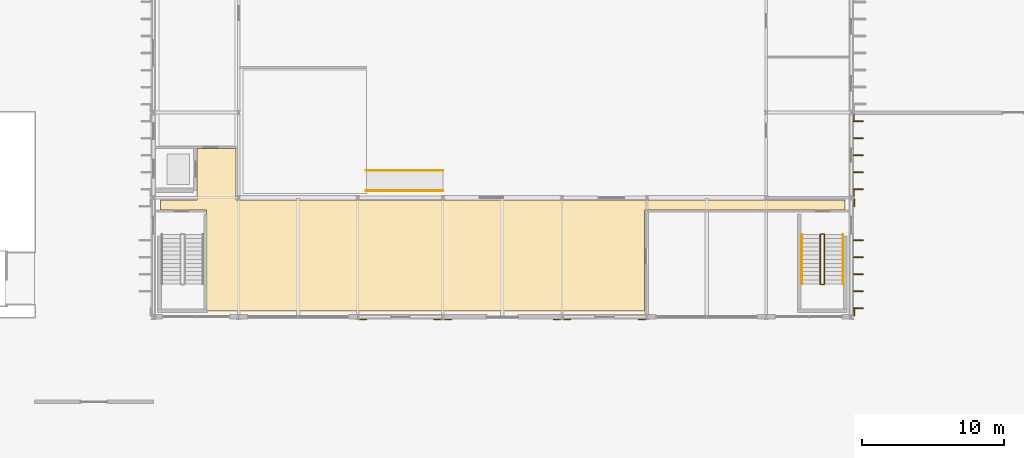
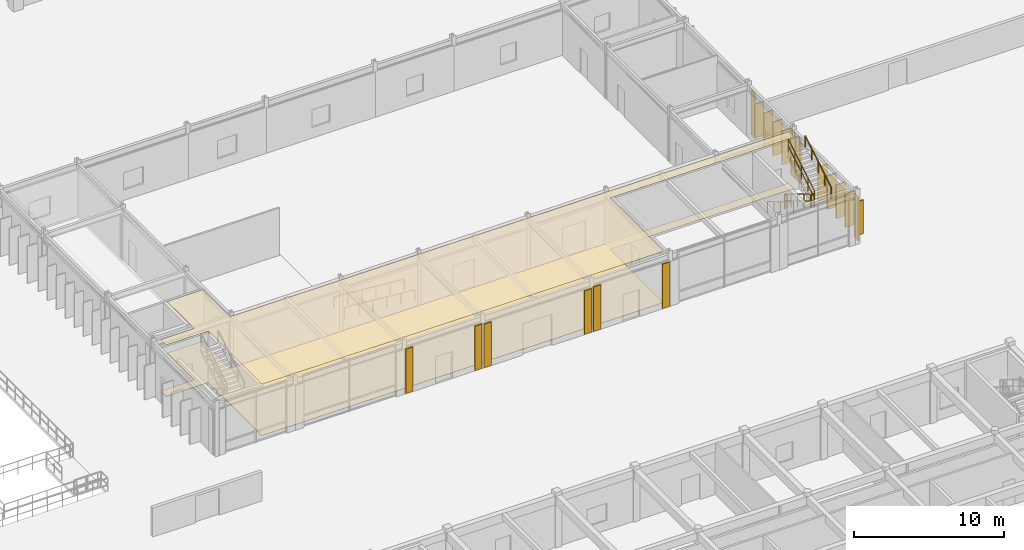
# One storey, part 57 of 67: 12 coverings, 10 shading devices, 8 railings.
"""IFC4 building model written with IfcOpenShell, lengths in metres."""

from ifc_helpers import new_model, si_unit, direction, frame, origin, origin_2d, place, context, subcontext, project, spatial, polyline, rectangle, outline, extrude, material, layer, layer_set, type_object, element, save


model = new_model("IFC4")

# Units and contexts
model_context = context("Model", 3, precision=1e-05, world=origin(), true_north=direction((0.0, 1.0)))
body_context = subcontext(model_context, "Body", "Model", "MODEL_VIEW")
ifc_project = project(units=[si_unit("LENGTHUNIT", "METRE"), si_unit("AREAUNIT", "SQUARE_METRE"), si_unit("VOLUMEUNIT", "CUBIC_METRE"), si_unit("PLANEANGLEUNIT", "RADIAN"), si_unit("MASSUNIT", "GRAM", prefix="KILO"), si_unit("THERMODYNAMICTEMPERATUREUNIT", "KELVIN")], contexts=[model_context])

# Site, building, storey
site_placement = place(None, origin())
site = spatial("IfcSite", under=ifc_project, at=site_placement, CompositionType="ELEMENT")
building_placement = place(site_placement, origin())
building = spatial("IfcBuilding", under=site, at=building_placement, Name="Thalorik Housing Commons", CompositionType="ELEMENT")
storey_placement = place(building_placement, origin())
storey = spatial("IfcBuildingStorey", under=building, at=storey_placement, Name="L00", CompositionType="ELEMENT", Elevation=0.0)

# Coverings
ifc_material_1 = material(Name="Cobalt blue glazed ceramic facade tile panel", Category="masonry")
ifc_layer_1 = layer(ifc_material_1, 0.06005859375, Name="Cobalt blue glazed ceramic facade tile panel", Category="masonry")
ifc_layer_set_1 = layer_set([ifc_layer_1], Name="Cobalt blue glazed ceramic facade tile panel")
covering_type_1 = type_object("IfcCoveringType", Name="ARC-CLD-BLU-60", PredefinedType="CLADDING", material=ifc_layer_set_1)
for number, where, z_axis, x_axis, name in (
    (1, (86.75, 57.41796875, 0.050048828125), (0.0, 0.0, 1.0), (1.0, 0.0, 0.0), "L00 Architectural Facade Cladding 5130"),
    (2, (94.449951171875, 57.41796875, 0.050048828125), (0.0, 0.0, 1.0), (1.0, 0.0, 0.0), "L00 Architectural Facade Cladding 5131"),
):
    element("IfcCovering", number, at=place(storey_placement, frame(where, z_axis=z_axis, x_axis=x_axis)), inside=storey, type_object=covering_type_1, Name=name, PredefinedType="CLADDING", context=body_context, shape_type="SweptSolid", body=[
        extrude(rectangle(XDim=0.550048828125, YDim=0.06005859375, at=origin_2d()), origin(), (0.0, 0.0, 1.0), 3.5458984375),
    ])
ifc_material_2 = material(Name="Precast concrete C40/50", Category="concrete")
ifc_layer_2 = layer(ifc_material_2, 0.090087890625, Name="Precast concrete C40/50", Category="concrete")
ifc_layer_set_2 = layer_set([ifc_layer_2], Name="Precast concrete C40/50")
covering_type_2 = type_object("IfcCoveringType", Name="ARC-CLD-PIER-90", PredefinedType="CLADDING", material=ifc_layer_set_2)
for number, where, z_axis, x_axis, name in (
    (3, (115.39697265625, 57.949951171875, 0.0498046875), (0.0, 0.0, 1.0), (0.0, 1.0, 0.0), "L00 Architectural Facade Cladding 5134"),
    (4, (115.39697265625, 65.64990234375, 0.0498046875), (0.0, 0.0, 1.0), (0.0, 1.0, 0.0), "L00 Architectural Facade Cladding 5135"),
):
    element("IfcCovering", number, at=place(storey_placement, frame(where, z_axis=z_axis, x_axis=x_axis)), inside=storey, type_object=covering_type_2, Name=name, PredefinedType="CLADDING", context=body_context, shape_type="SweptSolid", body=[
        extrude(rectangle(XDim=0.550048828125, YDim=0.090087890625, at=origin_2d()), origin(), (0.0, 0.0, 1.0), 3.550048828125),
    ])
ifc_material_3 = material(Name="Terracotta red mineral fibre-cement panel", Category="masonry")
ifc_layer_3 = layer(ifc_material_3, 0.054931640625, Name="Terracotta red mineral fibre-cement panel", Category="masonry")
ifc_layer_set_3 = layer_set([ifc_layer_3], Name="Terracotta red mineral fibre-cement panel")
covering_type_3 = type_object("IfcCoveringType", Name="ARC-CLD-RED-55", PredefinedType="CLADDING", material=ifc_layer_set_3)
for number, where, z_axis, x_axis, name in (
    (5, (80.75, 57.42041015625, 0.050048828125), (0.0, 0.0, 1.0), (1.0, 0.0, 0.0), "L00 Architectural Facade Cladding 5128"),
    (6, (86.050048828125, 57.42041015625, 0.050048828125), (0.0, 0.0, 1.0), (1.0, 0.0, 0.0), "L00 Architectural Facade Cladding 5129"),
):
    element("IfcCovering", number, at=place(storey_placement, frame(where, z_axis=z_axis, x_axis=x_axis)), inside=storey, type_object=covering_type_3, Name=name, PredefinedType="CLADDING", context=body_context, shape_type="SweptSolid", body=[
        extrude(rectangle(XDim=0.550048828125, YDim=0.054931640625, at=origin_2d()), origin(), (0.0, 0.0, 1.0), 3.6220703125),
    ])
for number, where, z_axis, x_axis, name in (
    (7, (115.37939453125, 66.35009765625, 0.0498046875), (0.0, 0.0, 1.0), (0.0, 1.0, 0.0), "L00 Architectural Facade Cladding 5136"),
    (8, (115.37939453125, 71.64990234375, 0.0498046875), (0.0, 0.0, 1.0), (0.0, 1.0, 0.0), "L00 Architectural Facade Cladding 5137"),
):
    element("IfcCovering", number, at=place(storey_placement, frame(where, z_axis=z_axis, x_axis=x_axis)), inside=storey, type_object=covering_type_3, Name=name, PredefinedType="CLADDING", context=body_context, shape_type="SweptSolid", body=[
        extrude(rectangle(XDim=0.550048828125, YDim=0.054931640625, at=origin_2d()), origin(), (0.0, 0.0, 1.0), 3.672119140625),
    ])
ifc_material_4 = material(Name="Mineral ochre architectural terracotta panel", Category="masonry")
ifc_layer_4 = layer(ifc_material_4, 0.06494140625, Name="Mineral ochre architectural terracotta panel", Category="masonry")
ifc_layer_set_4 = layer_set([ifc_layer_4], Name="Mineral ochre architectural terracotta panel")
covering_type_4 = type_object("IfcCoveringType", Name="ARC-CLD-YEL-65", PredefinedType="CLADDING", material=ifc_layer_set_4)
for number, where, z_axis, x_axis, name in (
    (9, (95.14990234375, 57.41552734375, 0.050048828125), (0.0, 0.0, 1.0), (1.0, 0.0, 0.0), "L00 Architectural Facade Cladding 5132"),
    (10, (100.449951171875, 57.41552734375, 0.050048828125), (0.0, 0.0, 1.0), (1.0, 0.0, 0.0), "L00 Architectural Facade Cladding 5133"),
):
    element("IfcCovering", number, at=place(storey_placement, frame(where, z_axis=z_axis, x_axis=x_axis)), inside=storey, type_object=covering_type_4, Name=name, PredefinedType="CLADDING", context=body_context, shape_type="SweptSolid", body=[
        extrude(rectangle(XDim=0.550048828125, YDim=0.06494140625, at=origin_2d()), origin(), (0.0, 0.0, 1.0), 3.6220703125),
    ])
ifc_material_5 = material(Name="Fire-rated calcium silicate corridor ceiling")
ifc_layer_5 = layer(ifc_material_5, 0.030029296875, Name="Fire-rated calcium silicate corridor ceiling")
ifc_layer_set_5 = layer_set([ifc_layer_5], Name="Fire-rated calcium silicate corridor ceiling")
covering_type_5 = type_object("IfcCoveringType", Name="ARC-COV-CEIL-05", PredefinedType="CEILING", material=ifc_layer_set_5)
covering_1_placement = place(storey_placement, frame((0.0, 0.0, 4.169921875)))
element("IfcCovering", 11, at=covering_1_placement, inside=storey, type_object=covering_type_5, Name="L00 Community Foyer Suspended Ceiling", PredefinedType="CEILING", context=body_context, shape_type="SweptSolid", body=[
    extrude(outline(polyline([(66.5, 65.85009765625), (66.5, 65.1201171875), (69.75, 65.119873046875), (69.75, 58.0), (100.60009765625, 58.0), (100.60009765625, 65.1201171875), (114.75, 65.1201171875), (114.75, 65.85009765625), (71.820068359375, 65.85009765625), (71.820068359375, 69.4599609375), (69.080078125, 69.4599609375), (69.080078125, 65.85009765625), (66.5, 65.85009765625)])), origin(), (0.0, 0.0, 1.0), 0.030029296875),
])
ifc_material_6 = material(Name="Heavy-duty porcelain metro vestibule tile")
ifc_layer_6 = layer(ifc_material_6, 0.028076171875, Name="Heavy-duty porcelain metro vestibule tile")
ifc_layer_set_6 = layer_set([ifc_layer_6], Name="Heavy-duty porcelain metro vestibule tile")
covering_type_6 = type_object("IfcCoveringType", Name="ARC-COV-FLR-05", PredefinedType="FLOORING", material=ifc_layer_set_6)
covering_2_placement = place(storey_placement, origin())
element("IfcCovering", 12, at=covering_2_placement, inside=storey, type_object=covering_type_6, Name="L00 Community Foyer Flooring", PredefinedType="FLOORING", context=body_context, shape_type="SweptSolid", body=[
    extrude(outline(polyline([(66.5, 65.85009765625), (66.5, 65.1201171875), (69.75, 65.119873046875), (69.75, 58.0), (100.60009765625, 58.0), (100.60009765625, 65.1201171875), (114.75, 65.1201171875), (114.75, 65.85009765625), (71.820068359375, 65.85009765625), (71.820068359375, 69.4599609375), (69.080078125, 69.4599609375), (69.080078125, 65.85009765625), (66.5, 65.85009765625)])), origin(), (0.0, 0.0, 1.0), 0.028076171875),
])

# Shading devices
ifc_material_7 = material(Name="Cobalt blue anodised aluminium", Category="aluminium")
shading_device_type_1 = type_object("IfcShadingDeviceType", Name="ARC-FIN-BLU-700", PredefinedType="USERDEFINED", material=ifc_material_7)
for number, where, z_axis, x_axis, name in (
    (13, (115.699951171875, 66.60009765625, 0.1201171875), (0.0, 0.0, 1.0), (0.0, 1.0, 0.0), "L00 Vertical Precast Solar Fin 6"),
    (14, (115.699951171875, 67.800048828125, 0.1201171875), (0.0, 0.0, 1.0), (0.0, 1.0, 0.0), "L00 Vertical Precast Solar Fin 7"),
    (15, (115.699951171875, 69.0, 0.1201171875), (0.0, 0.0, 1.0), (0.0, 1.0, 0.0), "L00 Vertical Precast Solar Fin 8"),
    (16, (115.699951171875, 70.199951171875, 0.1201171875), (0.0, 0.0, 1.0), (0.0, 1.0, 0.0), "L00 Vertical Precast Solar Fin 9"),
    (17, (115.699951171875, 71.39990234375, 0.1201171875), (0.0, 0.0, 1.0), (0.0, 1.0, 0.0), "L00 Vertical Precast Solar Fin 10"),
):
    element("IfcShadingDevice", number, at=place(storey_placement, frame(where, z_axis=z_axis, x_axis=x_axis)), inside=storey, type_object=shading_device_type_1, Name=name, ObjectType="FIN", PredefinedType="USERDEFINED", context=body_context, shape_type="SweptSolid", body=[
        extrude(rectangle(XDim=0.074951171875, YDim=0.699951171875, at=origin_2d()), origin(), (0.0, 0.0, 1.0), 2.75),
    ])
ifc_material_8 = material(Name="Oxide red precast concrete C40/50", Category="concrete")
shading_device_type_2 = type_object("IfcShadingDeviceType", Name="ARC-FIN-RED-700", PredefinedType="USERDEFINED", material=ifc_material_8)
for number, where, z_axis, x_axis, name in (
    (18, (115.699951171875, 58.199951171875, 0.1201171875), (0.0, 0.0, 1.0), (0.0, 1.0, 0.0), "L00 Vertical Precast Solar Fin 1"),
    (19, (115.699951171875, 59.39990234375, 0.1201171875), (0.0, 0.0, 1.0), (0.0, 1.0, 0.0), "L00 Vertical Precast Solar Fin 2"),
    (20, (115.699951171875, 60.60009765625, 0.1201171875), (0.0, 0.0, 1.0), (0.0, 1.0, 0.0), "L00 Vertical Precast Solar Fin 3"),
    (21, (115.699951171875, 61.800048828125, 0.1201171875), (0.0, 0.0, 1.0), (0.0, 1.0, 0.0), "L00 Vertical Precast Solar Fin 4"),
    (22, (115.699951171875, 63.0, 0.1201171875), (0.0, 0.0, 1.0), (0.0, 1.0, 0.0), "L00 Vertical Precast Solar Fin 5"),
):
    element("IfcShadingDevice", number, at=place(storey_placement, frame(where, z_axis=z_axis, x_axis=x_axis)), inside=storey, type_object=shading_device_type_2, Name=name, ObjectType="FIN", PredefinedType="USERDEFINED", context=body_context, shape_type="SweptSolid", body=[
        extrude(rectangle(XDim=0.074951171875, YDim=0.699951171875, at=origin_2d()), origin(), (0.0, 0.0, 1.0), 2.75),
    ])

# Railings
ifc_material_9 = material(Name="Steel S355", Category="steel")
railing_type_1 = type_object("IfcRailingType", Name="ARC-RL-RAMP-092", PredefinedType="HANDRAIL", material=ifc_material_9)
for number, where, name in (
    (23, (86.39990234375, 66.489990234375, 0.0), "Hall Stage Ramp S Handrail"),
    (24, (86.39990234375, 67.909912109375, 0.0), "Hall Stage Ramp N Handrail"),
):
    element("IfcRailing", number, at=place(storey_placement, frame(where)), inside=storey, type_object=railing_type_1, Name=name, PredefinedType="HANDRAIL", context=body_context, shape_type="SweptSolid", body=[
        extrude(rectangle(XDim=0.048095703125, YDim=0.048095703125, at=origin_2d()), frame((0.0, 0.0, 0.89599609375), z_axis=(-0.996546379678, 0.0, 0.083038022323), x_axis=(0.0, -1.0, 0.0)), (0.0, 0.0, 1.0), 5.418701171875),
        extrude(rectangle(XDim=0.0419921875, YDim=0.0419921875, at=origin_2d()), origin(), (0.0, 0.0, 1.0), 0.871826171875),
        extrude(rectangle(XDim=0.0419921875, YDim=0.0419921875, at=origin_2d()), frame((-1.080078125, 0.0, 0.090087890625)), (0.0, 0.0, 1.0), 0.871826171875),
        extrude(rectangle(XDim=0.0419921875, YDim=0.0419921875, at=origin_2d()), frame((-2.159912109375, 0.0, 0.179931640625)), (0.0, 0.0, 1.0), 0.871826171875),
        extrude(rectangle(XDim=0.0419921875, YDim=0.0419921875, at=origin_2d()), frame((-3.239990234375, 0.0, 0.27001953125)), (0.0, 0.0, 1.0), 0.871826171875),
        extrude(rectangle(XDim=0.0419921875, YDim=0.0419921875, at=origin_2d()), frame((-4.31982421875, 0.0, 0.35986328125)), (0.0, 0.0, 1.0), 0.871826171875),
        extrude(rectangle(XDim=0.0419921875, YDim=0.0419921875, at=origin_2d()), frame((-5.39990234375, 0.0, 0.449951171875)), (0.0, 0.0, 1.0), 0.871826171875),
    ])
railing_type_2 = type_object("IfcRailingType", Name="ARC-RL-STR-GRD110", PredefinedType="GUARDRAIL", material=ifc_material_9)
railing_1_placement = place(storey_placement, frame((113.0, 63.39990234375, 0.173095703125)))
element("IfcRailing", 25, at=railing_1_placement, inside=storey, type_object=railing_type_2, Name="L00 ST-H2 stair guard 1", PredefinedType="GUARDRAIL", context=body_context, shape_type="SweptSolid", body=[
    extrude(rectangle(XDim=0.048095703125, YDim=0.048095703125, at=origin_2d()), frame((0.0, 0.0, 1.076171875), z_axis=(0.0, -0.858697190188, 0.512483302717), x_axis=(1.0, 0.0, 0.0)), (0.0, 0.0, 1.0), 4.052734375),
    extrude(rectangle(XDim=0.048095703125, YDim=0.048095703125, at=origin_2d()), frame((0.0, 0.0, 0.52587890625), z_axis=(0.0, -0.858697190188, 0.512483302717), x_axis=(1.0, 0.0, 0.0)), (0.0, 0.0, 1.0), 4.052734375),
    extrude(rectangle(XDim=0.0419921875, YDim=0.0419921875, at=origin_2d()), origin(), (0.0, 0.0, 1.0), 1.052001953125),
    extrude(rectangle(XDim=0.0419921875, YDim=0.0419921875, at=origin_2d()), frame((0.0, -0.8701171875, 0.519287109375)), (0.0, 0.0, 1.0), 1.052001953125),
    extrude(rectangle(XDim=0.0419921875, YDim=0.0419921875, at=origin_2d()), frame((0.0, -1.739990234375, 1.03857421875)), (0.0, 0.0, 1.0), 1.052001953125),
    extrude(rectangle(XDim=0.0419921875, YDim=0.0419921875, at=origin_2d()), frame((0.0, -2.60986328125, 1.5576171875)), (0.0, 0.0, 1.0), 1.052001953125),
    extrude(rectangle(XDim=0.0419921875, YDim=0.0419921875, at=origin_2d()), frame((0.0, -3.47998046875, 2.076904296875)), (0.0, 0.0, 1.0), 1.052001953125),
])
railing_2_placement = place(storey_placement, frame((113.050048828125, 59.8701171875, 2.25)))
element("IfcRailing", 26, at=railing_2_placement, inside=storey, type_object=railing_type_2, Name="L00 ST-H2 stair guard 2", PredefinedType="GUARDRAIL", context=body_context, shape_type="SweptSolid", body=[
    extrude(rectangle(XDim=0.048095703125, YDim=0.048095703125, at=origin_2d()), frame((0.0, 0.0, 1.076171875), z_axis=(1.0, 0.0, 0.0), x_axis=(0.0, 1.0, 0.0)), (0.0, 0.0, 1.0), 0.199951171875),
    extrude(rectangle(XDim=0.048095703125, YDim=0.048095703125, at=origin_2d()), frame((0.0, 0.0, 0.52587890625), z_axis=(1.0, 0.0, 0.0), x_axis=(0.0, 1.0, 0.0)), (0.0, 0.0, 1.0), 0.199951171875),
    extrude(rectangle(XDim=0.0419921875, YDim=0.0419921875, at=origin_2d()), origin(), (0.0, 0.0, 1.0), 1.052001953125),
    extrude(rectangle(XDim=0.0419921875, YDim=0.0419921875, at=origin_2d()), frame((0.199951171875, 0.0, 0.0)), (0.0, 0.0, 1.0), 1.052001953125),
])
railing_3_placement = place(storey_placement, frame((113.300048828125, 59.919921875, 2.423095703125)))
element("IfcRailing", 27, at=railing_3_placement, inside=storey, type_object=railing_type_2, Name="L00 ST-H2 stair guard 3", PredefinedType="GUARDRAIL", context=body_context, shape_type="SweptSolid", body=[
    extrude(rectangle(XDim=0.048095703125, YDim=0.048095703125, at=origin_2d()), frame((0.0, 0.0, 1.076171875), z_axis=(0.0, 0.858697190188, 0.512483302717), x_axis=(-1.0, 0.0, 0.0)), (0.0, 0.0, 1.0), 4.052734375),
    extrude(rectangle(XDim=0.048095703125, YDim=0.048095703125, at=origin_2d()), frame((0.0, 0.0, 0.52587890625), z_axis=(0.0, 0.858697190188, 0.512483302717), x_axis=(-1.0, 0.0, 0.0)), (0.0, 0.0, 1.0), 4.052734375),
    extrude(rectangle(XDim=0.0419921875, YDim=0.0419921875, at=origin_2d()), origin(), (0.0, 0.0, 1.0), 1.052001953125),
    extrude(rectangle(XDim=0.0419921875, YDim=0.0419921875, at=origin_2d()), frame((0.0, 0.8701171875, 0.519287109375)), (0.0, 0.0, 1.0), 1.052001953125),
    extrude(rectangle(XDim=0.0419921875, YDim=0.0419921875, at=origin_2d()), frame((0.0, 1.739990234375, 1.03857421875)), (0.0, 0.0, 1.0), 1.052001953125),
    extrude(rectangle(XDim=0.0419921875, YDim=0.0419921875, at=origin_2d()), frame((0.0, 2.60986328125, 1.5576171875)), (0.0, 0.0, 1.0), 1.052001953125),
    extrude(rectangle(XDim=0.0419921875, YDim=0.0419921875, at=origin_2d()), frame((0.0, 3.47998046875, 2.076904296875)), (0.0, 0.0, 1.0), 1.052001953125),
])
railing_4_placement = place(storey_placement, frame((113.050048828125, 63.449951171875, 0.0)))
element("IfcRailing", 28, at=railing_4_placement, inside=storey, type_object=railing_type_2, Name="L00 ST-H2 stair guard 4", PredefinedType="GUARDRAIL", context=body_context, shape_type="SweptSolid", body=[
    extrude(rectangle(XDim=0.048095703125, YDim=0.048095703125, at=origin_2d()), frame((0.0, 0.0, 1.076171875), z_axis=(1.0, 0.0, 0.0), x_axis=(0.0, 1.0, 0.0)), (0.0, 0.0, 1.0), 0.199951171875),
    extrude(rectangle(XDim=0.048095703125, YDim=0.048095703125, at=origin_2d()), frame((0.0, 0.0, 0.52587890625), z_axis=(1.0, 0.0, 0.0), x_axis=(0.0, 1.0, 0.0)), (0.0, 0.0, 1.0), 0.199951171875),
    extrude(rectangle(XDim=0.0419921875, YDim=0.0419921875, at=origin_2d()), origin(), (0.0, 0.0, 1.0), 1.052001953125),
    extrude(rectangle(XDim=0.0419921875, YDim=0.0419921875, at=origin_2d()), frame((0.199951171875, 0.0, 0.0)), (0.0, 0.0, 1.0), 1.052001953125),
])
railing_type_3 = type_object("IfcRailingType", Name="ARC-RL-STR-HR092", PredefinedType="HANDRAIL", material=ifc_material_9)
railing_5_placement = place(storey_placement, frame((111.699951171875, 63.39990234375, 0.173095703125)))
element("IfcRailing", 29, at=railing_5_placement, inside=storey, type_object=railing_type_3, Name="L00 ST-H2 stair handrail 1", PredefinedType="HANDRAIL", context=body_context, shape_type="SweptSolid", body=[
    extrude(rectangle(XDim=0.048095703125, YDim=0.048095703125, at=origin_2d()), frame((0.0, 0.0, 0.89599609375), z_axis=(0.0, -0.858697190188, 0.512483302717), x_axis=(1.0, 0.0, 0.0)), (0.0, 0.0, 1.0), 4.052734375),
    extrude(rectangle(XDim=0.0419921875, YDim=0.0419921875, at=origin_2d()), origin(), (0.0, 0.0, 1.0), 0.871826171875),
    extrude(rectangle(XDim=0.0419921875, YDim=0.0419921875, at=origin_2d()), frame((0.0, -0.8701171875, 0.519287109375)), (0.0, 0.0, 1.0), 0.871826171875),
    extrude(rectangle(XDim=0.0419921875, YDim=0.0419921875, at=origin_2d()), frame((0.0, -1.739990234375, 1.03857421875)), (0.0, 0.0, 1.0), 0.871826171875),
    extrude(rectangle(XDim=0.0419921875, YDim=0.0419921875, at=origin_2d()), frame((0.0, -2.60986328125, 1.5576171875)), (0.0, 0.0, 1.0), 0.871826171875),
    extrude(rectangle(XDim=0.0419921875, YDim=0.0419921875, at=origin_2d()), frame((0.0, -3.47998046875, 2.076904296875)), (0.0, 0.0, 1.0), 0.871826171875),
])
railing_6_placement = place(storey_placement, frame((114.60009765625, 59.919921875, 2.423095703125)))
element("IfcRailing", 30, at=railing_6_placement, inside=storey, type_object=railing_type_3, Name="L00 ST-H2 stair handrail 2", PredefinedType="HANDRAIL", context=body_context, shape_type="SweptSolid", body=[
    extrude(rectangle(XDim=0.048095703125, YDim=0.048095703125, at=origin_2d()), frame((0.0, 0.0, 0.89599609375), z_axis=(0.0, 0.858697190188, 0.512483302717), x_axis=(-1.0, 0.0, 0.0)), (0.0, 0.0, 1.0), 4.052734375),
    extrude(rectangle(XDim=0.0419921875, YDim=0.0419921875, at=origin_2d()), origin(), (0.0, 0.0, 1.0), 0.871826171875),
    extrude(rectangle(XDim=0.0419921875, YDim=0.0419921875, at=origin_2d()), frame((0.0, 0.8701171875, 0.519287109375)), (0.0, 0.0, 1.0), 0.871826171875),
    extrude(rectangle(XDim=0.0419921875, YDim=0.0419921875, at=origin_2d()), frame((0.0, 1.739990234375, 1.03857421875)), (0.0, 0.0, 1.0), 0.871826171875),
    extrude(rectangle(XDim=0.0419921875, YDim=0.0419921875, at=origin_2d()), frame((0.0, 2.60986328125, 1.5576171875)), (0.0, 0.0, 1.0), 0.871826171875),
    extrude(rectangle(XDim=0.0419921875, YDim=0.0419921875, at=origin_2d()), frame((0.0, 3.47998046875, 2.076904296875)), (0.0, 0.0, 1.0), 0.871826171875),
])

save(model, "model.ifc")
